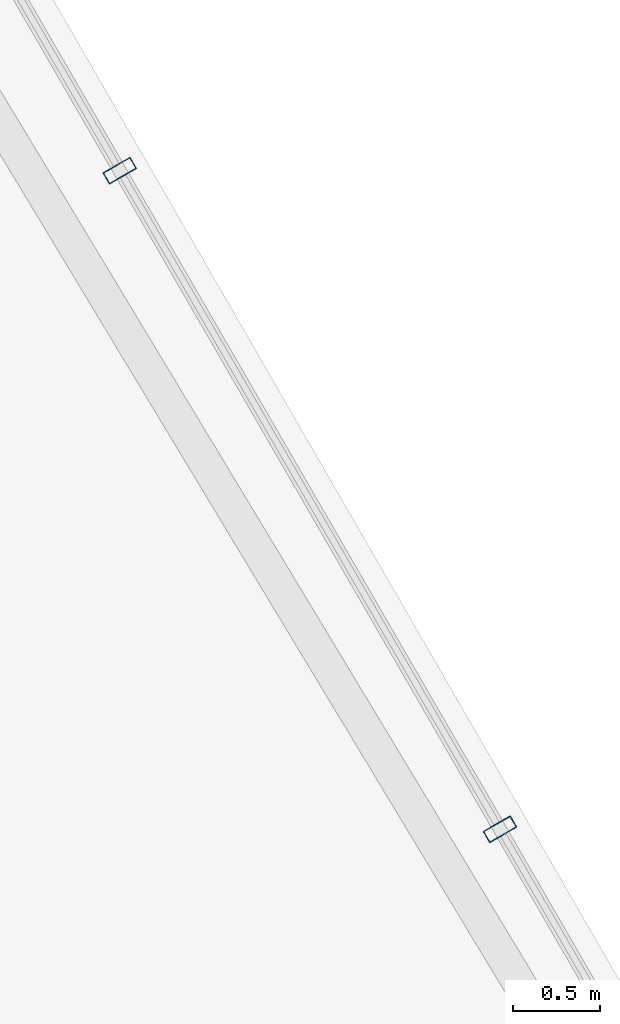
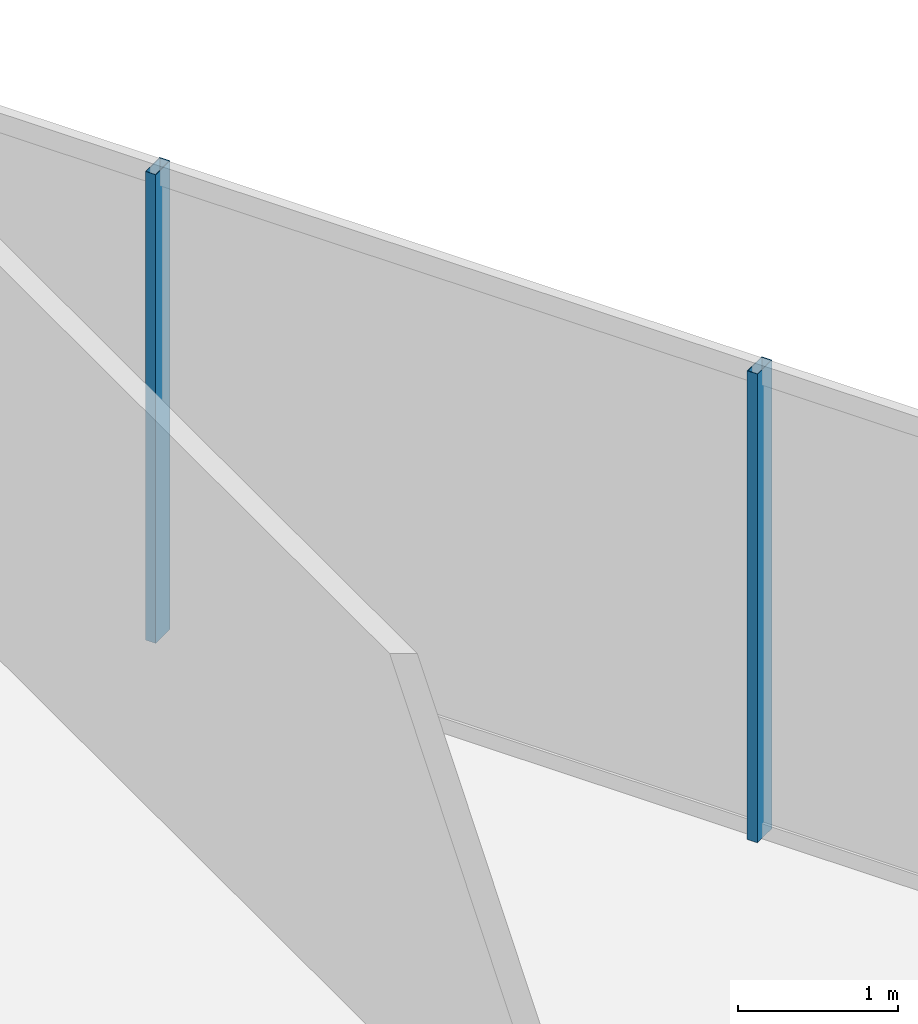
# One storey, part 19 of 29: 2 members, 1 element without a shape of its own.
"""IFC4 building model written with IfcOpenShell, lengths in metres."""

import ifcopenshell
import ifcopenshell.guid

model = None  # the IFC model being written
_history = None  # IfcOwnerHistory: only IFC2X3 demands one
_inside = {}  # id of a spatial element -> (the spatial element, [elements in it])
_under = {}  # id of a project, library or spatial element -> (it, [spatial elements below it])
_declared = {}  # id of a project -> (the project, [libraries it declares])
_typed = {}  # id of a type object -> (the type object, [elements of that type])
_made_of = {}  # id of a material, layer set ... -> (it, [elements and type objects made of it])


def new_model(schema):
    """Start an empty IFC model of exactly this schema.

    Asked for "IFC4X3", IfcOpenShell would pick the latest addendum, in which some entities
    have other attributes; the version numbers below select the first issue.
    IFC2X3 requires an IfcOwnerHistory on every rooted entity: one is made here for all.
    """
    global model, _history
    if schema == "IFC4X3":
        model = ifcopenshell.file(schema_version=(4, 3, 0, 0))
    else:
        model = ifcopenshell.file(schema=schema)
    _inside.clear()
    _under.clear()
    _declared.clear()
    _typed.clear()
    _made_of.clear()
    _history = None
    if model.schema == "IFC2X3":
        org = make("IfcOrganization", Name="unknown")
        user = make(
            "IfcPersonAndOrganization",
            ThePerson=make("IfcPerson", FamilyName="unknown"),
            TheOrganization=org,
        )
        app = make(
            "IfcApplication",
            ApplicationDeveloper=org,
            Version="unknown",
            ApplicationFullName="unknown",
            ApplicationIdentifier="unknown",
        )
        _history = make(
            "IfcOwnerHistory",
            OwningUser=user,
            OwningApplication=app,
            ChangeAction="ADDED",
            CreationDate=0,
        )
    return model


def make(cls, **values):
    """One entity of the class cls with the attributes given. An attribute that is None is left unset."""
    return model.create_entity(
        cls, **{name: value for name, value in values.items() if value is not None}
    )


def rooted(cls, **values):
    """An entity with a GlobalId (a new one), such as an element, a storey or a relation."""
    return make(cls, GlobalId=ifcopenshell.guid.new(), OwnerHistory=_history, **values)


def si_unit(unit_type, name, prefix=None):
    """IfcSIUnit, for example si_unit("LENGTHUNIT", "METRE", prefix="MILLI")."""
    return make("IfcSIUnit", UnitType=unit_type, Prefix=prefix, Name=name)


def assignment(units):
    """IfcUnitAssignment: the units of a project."""
    return None if units is None else make("IfcUnitAssignment", Units=units)


def point(xyz):
    """IfcCartesianPoint."""
    return None if xyz is None else make("IfcCartesianPoint", Coordinates=xyz)


def direction(xyz):
    """IfcDirection."""
    return None if xyz is None else make("IfcDirection", DirectionRatios=xyz)


def frame(location, z_axis=None, x_axis=None):
    """IfcAxis2Placement3D, a coordinate frame: its origin and axes. An axis left out is left unset."""
    return make(
        "IfcAxis2Placement3D",
        Location=point(location),
        Axis=direction(z_axis),
        RefDirection=direction(x_axis),
    )


def frame_2d(location, x_axis=None):
    """IfcAxis2Placement2D, a coordinate frame in the plane: its origin and x axis."""
    return make(
        "IfcAxis2Placement2D", Location=point(location), RefDirection=direction(x_axis)
    )


def origin():
    """The frame at (0, 0, 0) with its axes left unset."""
    return frame((0.0, 0.0, 0.0))


def origin_2d():
    """The frame at (0, 0) in the plane with its x axis left unset."""
    return frame_2d((0.0, 0.0))


def place(relative_to, where):
    """IfcLocalPlacement: puts the frame where relative to a parent placement (None: the world)."""
    return make(
        "IfcLocalPlacement", PlacementRelTo=relative_to, RelativePlacement=where
    )


def context(
    kind, dimensions, precision=None, world=None, true_north=None, identifier=None
):
    """IfcGeometricRepresentationContext, for example the 3D "Model" context."""
    return make(
        "IfcGeometricRepresentationContext",
        ContextIdentifier=identifier,
        ContextType=kind,
        CoordinateSpaceDimension=dimensions,
        Precision=precision,
        WorldCoordinateSystem=world,
        TrueNorth=true_north,
    )


def subcontext(parent, identifier, kind, view, scale=None):
    """IfcGeometricRepresentationSubContext, for example "Body" below "Model"."""
    return make(
        "IfcGeometricRepresentationSubContext",
        ContextIdentifier=identifier,
        ContextType=kind,
        ParentContext=parent,
        TargetScale=scale,
        TargetView=view,
    )


def project(units=None, contexts=None):
    """IfcProject with its units and contexts."""
    return rooted(
        "IfcProject",
        Name="project",
        RepresentationContexts=contexts,
        UnitsInContext=assignment(units),
    )


def spatial(cls, under=None, at=None, **own):
    """A site, building, storey or space (cls), placed at a placement, below another one or the project."""
    s = rooted(cls, ObjectPlacement=at, **own)
    if under is not None:
        _under.setdefault(under.id(), (under, []))[1].append(s)
    return s


def profile(cls, at=None, kind="AREA", **sizes):
    """A parametric profile (cls). Its sizes go by their IFC names, for example OverallWidth=200.0."""
    return make(cls, ProfileType=kind, Position=at, **sizes)


def hollow_rectangle(**sizes):
    """IfcRectangleHollowProfileDef."""
    return profile("IfcRectangleHollowProfileDef", **sizes)


def extrude(swept, where, along, depth):
    """IfcExtrudedAreaSolid: the profile swept, set in the frame where, extruded along a direction by depth."""
    return make(
        "IfcExtrudedAreaSolid",
        SweptArea=swept,
        Position=where,
        ExtrudedDirection=direction(along),
        Depth=depth,
    )


def shape(context_of_items, identifier, shape_type, items):
    """IfcShapeRepresentation: the items that make up one representation, for example the "Body"."""
    return make(
        "IfcShapeRepresentation",
        ContextOfItems=context_of_items,
        RepresentationIdentifier=identifier,
        RepresentationType=shape_type,
        Items=items,
    )


def material(Name=None, Category=None):
    """IfcMaterial."""
    return make("IfcMaterial", Name=Name, Category=Category)


def layer(
    of_material, thickness, ventilated=None, Name=None, Category=None, Priority=None
):
    """IfcMaterialLayer: one layer of a wall or slab, of a material (None: an air gap)."""
    return make(
        "IfcMaterialLayer",
        Material=of_material,
        LayerThickness=thickness,
        IsVentilated=ventilated,
        Name=Name,
        Category=Category,
        Priority=Priority,
    )


def layer_set(layers, Name=None):
    """IfcMaterialLayerSet."""
    return make("IfcMaterialLayerSet", MaterialLayers=layers, LayerSetName=Name)


def material_profile(
    of_material, cross_section, Name=None, Category=None, Priority=None
):
    """IfcMaterialProfile: a cross section and its material."""
    return make(
        "IfcMaterialProfile",
        Name=Name,
        Material=of_material,
        Profile=cross_section,
        Priority=Priority,
        Category=Category,
    )


def profile_set(profiles, Name=None, composite=None):
    """IfcMaterialProfileSet."""
    return make(
        "IfcMaterialProfileSet",
        Name=Name,
        MaterialProfiles=profiles,
        CompositeProfile=composite,
    )


def made_of(thing, what):
    """Note that an element or type object is made of a material, layer set ...; save() writes the relation."""
    if what is not None:
        _made_of.setdefault(what.id(), (what, []))[1].append(thing)
    return thing


def type_object(cls, material=None, **own):
    """A type object (cls), such as IfcWallType, which elements share."""
    return made_of(rooted(cls, **own), material)


def element(
    cls,
    number,
    at=None,
    inside=None,
    cuts=None,
    type_object=None,
    material=None,
    context=None,
    identifier="Body",
    shape_type=None,
    held_by="IfcProductDefinitionShape",
    body=None,
    shapes=None,
    **own,
):
    """One element of the class cls, such as IfcWall. Its Tag is "e" and its number.

    at: its placement. inside: the storey or other place that contains it. cuts: it is an
    opening in that element (IfcRelVoidsElement). A single representation is given by context,
    identifier, shape_type and body (its items); several are given by shapes. held_by: the class
    of the entity that holds the representations. save() writes the other relations.
    """
    e = rooted(cls, Tag="e%d" % number, ObjectPlacement=at, **own)
    if body is not None:
        shapes = [shape(context, identifier, shape_type, body)]
    if shapes is not None:
        e.Representation = make(held_by, Representations=shapes)
    if inside is not None:
        _inside.setdefault(inside.id(), (inside, []))[1].append(e)
    if cuts is not None:
        rooted(
            "IfcRelVoidsElement", RelatingBuildingElement=cuts, RelatedOpeningElement=e
        )
    if type_object is not None:
        _typed.setdefault(type_object.id(), (type_object, []))[1].append(e)
    return made_of(e, material)


def aggregate(whole, parts):
    """IfcRelAggregates: a whole, such as a stair, and the parts it consists of."""
    return rooted("IfcRelAggregates", RelatingObject=whole, RelatedObjects=parts)


def save(model, path):
    """Write the relations noted so far, then the file.

    IfcRelAggregates (storeys below a building ...), IfcRelContainedInSpatialStructure (elements
    in a storey), IfcRelDefinesByType, IfcRelAssociatesMaterial and IfcRelDeclares: one each for
    every whole, place, type object, material and project.
    """
    for whole, parts in _under.values():
        aggregate(whole, parts)
    for where, things in _inside.values():
        rooted(
            "IfcRelContainedInSpatialStructure",
            RelatedElements=things,
            RelatingStructure=where,
        )
    for kind, things in _typed.values():
        rooted("IfcRelDefinesByType", RelatedObjects=things, RelatingType=kind)
    for what, things in _made_of.values():
        rooted("IfcRelAssociatesMaterial", RelatedObjects=things, RelatingMaterial=what)
    for by, libraries in _declared.values():
        rooted("IfcRelDeclares", RelatingContext=by, RelatedDefinitions=libraries)
    model.write(path)


model = new_model("IFC4")

# Units and contexts
model_context = context("Model", 3, precision=1e-05, world=origin(), true_north=direction((0.0, 1.0)))
body_context = subcontext(model_context, "Body", "Model", "MODEL_VIEW")
ifc_project = project(units=[si_unit("LENGTHUNIT", "METRE"), si_unit("AREAUNIT", "SQUARE_METRE"), si_unit("VOLUMEUNIT", "CUBIC_METRE"), si_unit("PLANEANGLEUNIT", "RADIAN"), si_unit("MASSUNIT", "GRAM", prefix="KILO")], contexts=[model_context])

# Site, building, storey
site_placement = place(None, origin())
site = spatial("IfcSite", under=ifc_project, at=site_placement, CompositionType="ELEMENT")
building_placement = place(site_placement, origin())
building = spatial("IfcBuilding", under=site, at=building_placement, Name="Ndaravel Arena Tower", CompositionType="ELEMENT")
storey_placement = place(building_placement, frame((0.0, 0.0, 233.199951171875)))
storey = spatial("IfcBuildingStorey", under=building, at=storey_placement, Name="L56", CompositionType="ELEMENT", Elevation=233.199951171875)

# Curtain wall, members
ifc_material_1 = material(Name="Aluminium", Category="aluminium")
ifc_layer = layer(ifc_material_1, 0.179931640625)
ifc_layer_set = layer_set([ifc_layer], Name="Aluminium")
curtain_wall_type = type_object("IfcCurtainWallType", Name="CW-SYS-03", PredefinedType="NOTDEFINED", material=ifc_layer_set)
curtain_wall_placement = place(storey_placement, origin())
curtain_wall = element("IfcCurtainWall", 1, at=curtain_wall_placement, inside=storey, type_object=curtain_wall_type, Name="L56 Faceted Crystal Curtain Wall CW-L56-E03", PredefinedType="NOTDEFINED")
ifc_material_2 = material(Name="Aluminium", Category="aluminium")
ifc_material_profile = material_profile(ifc_material_2, hollow_rectangle(XDim=0.074951171875, YDim=0.179931640625, WallThickness=0.00390625, at=origin_2d()), Name="CW MULLION 75x180x4")
ifc_profile_set = profile_set([ifc_material_profile], Name="Aluminium")
member_type = type_object("IfcMemberType", Name="MEM-CW-MUL180", PredefinedType="MULLION", material=ifc_profile_set)
member_1_placement = place(storey_placement, frame((54.296875, 30.224853515625, 0.0), z_axis=(0.0, 0.0, 1.0), x_axis=(-0.5, 0.866025403784, 0.0)))
member_1 = element("IfcMember", 2, at=member_1_placement, type_object=member_type, Name="CW-L56-E03 Mullion 05", PredefinedType="MULLION", context=body_context, shape_type="SweptSolid", body=[
    extrude(hollow_rectangle(XDim=0.074951171875, YDim=0.179931640625, WallThickness=0.00390625, at=origin_2d()), origin(), (0.0, 0.0, 1.0), 3.580078125),
])
member_2_placement = place(storey_placement, frame((52.12255859375, 33.990966796875, 0.0), z_axis=(0.0, 0.0, 1.0), x_axis=(-0.5, 0.866025403784, 0.0)))
member_2 = element("IfcMember", 3, at=member_2_placement, type_object=member_type, Name="CW-L56-E03 Mullion 06", PredefinedType="MULLION", context=body_context, shape_type="SweptSolid", body=[
    extrude(hollow_rectangle(XDim=0.074951171875, YDim=0.179931640625, WallThickness=0.00390625, at=origin_2d()), origin(), (0.0, 0.0, 1.0), 3.580078125),
])
aggregate(curtain_wall, [member_1, member_2])

save(model, "model.ifc")
